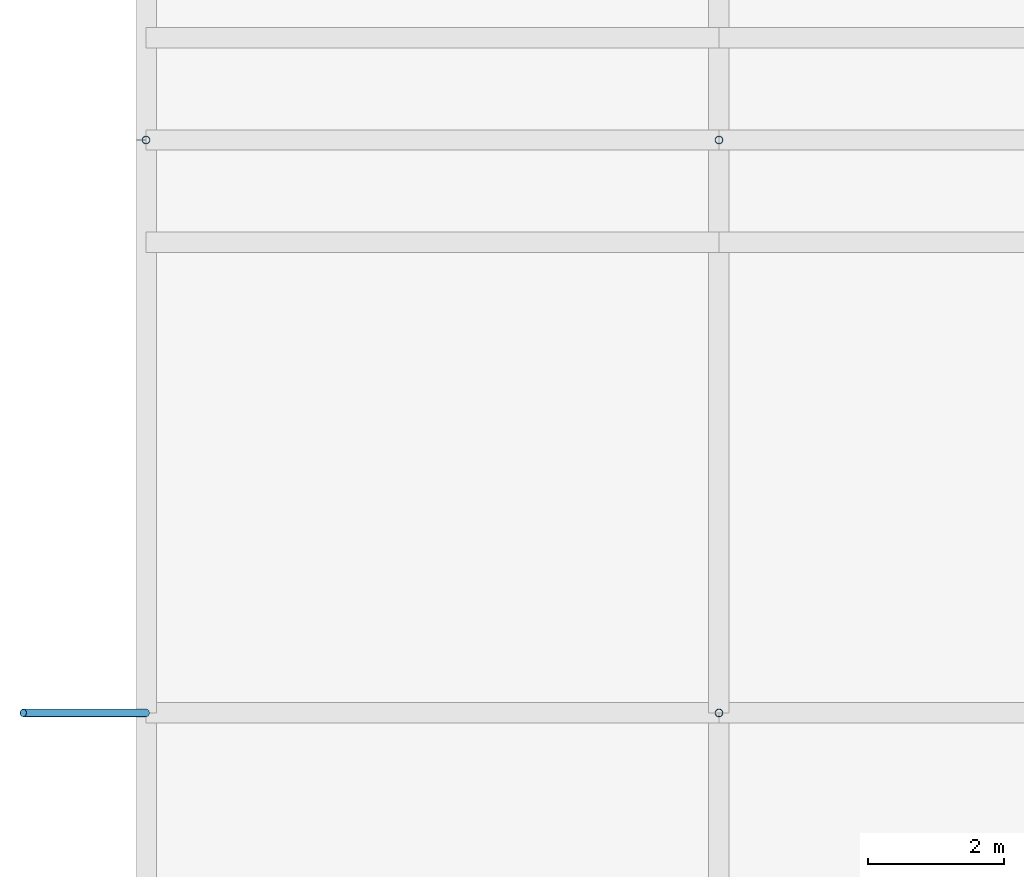
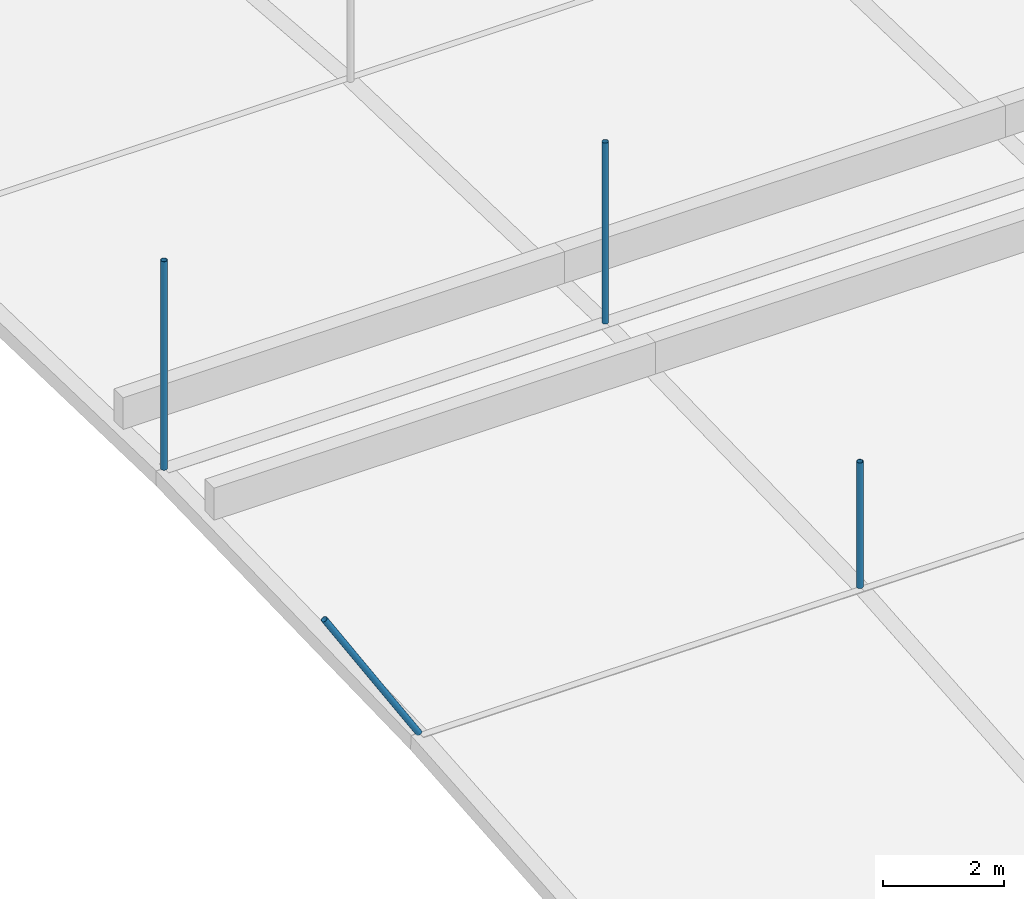
# One storey, part 9 of 37: 4 discrete accessories.
"""IFC4 building model written with IfcOpenShell, lengths in metres."""

from ifc_helpers import new_model, si_unit, direction, frame, origin, origin_2d, place, context, subcontext, project, spatial, hollow_circle, extrude, material, material_profile, profile_set, type_object, element, save


model = new_model("IFC4")

# Units and contexts
model_context = context("Model", 3, precision=1e-05, world=origin(), true_north=direction((0.0, 1.0)))
body_context = subcontext(model_context, "Body", "Model", "MODEL_VIEW")
ifc_project = project(units=[si_unit("LENGTHUNIT", "METRE"), si_unit("AREAUNIT", "SQUARE_METRE"), si_unit("VOLUMEUNIT", "CUBIC_METRE"), si_unit("PLANEANGLEUNIT", "RADIAN"), si_unit("MASSUNIT", "GRAM", prefix="KILO")], contexts=[model_context])

# Site, building, storey
site_placement = place(None, origin())
site = spatial("IfcSite", under=ifc_project, at=site_placement, CompositionType="ELEMENT")
building_placement = place(site_placement, origin())
building = spatial("IfcBuilding", under=site, at=building_placement, Name="Rain Tree Exposition and Congress Centre", CompositionType="ELEMENT")
storey_placement = place(building_placement, frame((0.0, 0.0, 25.0)))
storey = spatial("IfcBuildingStorey", under=building, at=storey_placement, Name="ROOF VAULT LOW", CompositionType="ELEMENT", Elevation=25.0)

# Discrete accessories
ifc_material = material(Name="Steel S355J2H", Category="steel")
ifc_material_profile = material_profile(ifc_material, hollow_circle(Radius=0.05712890625, WallThickness=0.00439453125, at=origin_2d()), Name="CHS 114x4.5")
ifc_profile_set = profile_set([ifc_material_profile], Name="Steel S355J2H")
discrete_accessory_type = type_object("IfcDiscreteAccessoryType", Name="Roof skin post CHS 114x4.5", PredefinedType="BRACKET", material=ifc_profile_set)
discrete_accessory_1_placement = place(storey_placement, frame((8.39990234375, 142.800048828125, 1.1728515625), z_axis=(-0.525480740199, 0.0, 0.850805495798), x_axis=(0.0, -1.0, 0.0)))
element("IfcDiscreteAccessory", 1, at=discrete_accessory_1_placement, inside=storey, type_object=discrete_accessory_type, Name="Roof skin post A76", PredefinedType="BRACKET", context=body_context, shape_type="SweptSolid", body=[
    extrude(hollow_circle(Radius=0.05712890625, WallThickness=0.00439453125, at=origin_2d()), origin(), (0.0, 0.0, 1.0), 3.425048828125),
])
discrete_accessory_2_placement = place(storey_placement, frame((16.800048828125, 142.800048828125, 1.1728515625), z_axis=(0.0, 0.0, 1.0), x_axis=(1.0, 0.0, 0.0)))
element("IfcDiscreteAccessory", 2, at=discrete_accessory_2_placement, inside=storey, type_object=discrete_accessory_type, Name="Roof skin post A77", PredefinedType="BRACKET", context=body_context, shape_type="SweptSolid", body=[
    extrude(hollow_circle(Radius=0.05712890625, WallThickness=0.00439453125, at=origin_2d()), origin(), (0.0, 0.0, 1.0), 2.52587890625),
])
discrete_accessory_3_placement = place(storey_placement, frame((8.39990234375, 151.199951171875, 1.39990234375), z_axis=(0.0, 0.0, 1.0), x_axis=(1.0, 0.0, 0.0)))
element("IfcDiscreteAccessory", 3, at=discrete_accessory_3_placement, inside=storey, type_object=discrete_accessory_type, Name="Roof skin post A91", PredefinedType="BRACKET", context=body_context, shape_type="SweptSolid", body=[
    extrude(hollow_circle(Radius=0.05712890625, WallThickness=0.00439453125, at=origin_2d()), origin(), (0.0, 0.0, 1.0), 4.197265625),
])
discrete_accessory_4_placement = place(storey_placement, frame((16.800048828125, 151.199951171875, 1.39990234375), z_axis=(0.0, 0.0, 1.0), x_axis=(1.0, 0.0, 0.0)))
element("IfcDiscreteAccessory", 4, at=discrete_accessory_4_placement, inside=storey, type_object=discrete_accessory_type, Name="Roof skin post A92", PredefinedType="BRACKET", context=body_context, shape_type="SweptSolid", body=[
    extrude(hollow_circle(Radius=0.05712890625, WallThickness=0.00439453125, at=origin_2d()), origin(), (0.0, 0.0, 1.0), 3.64306640625),
])

save(model, "model.ifc")
